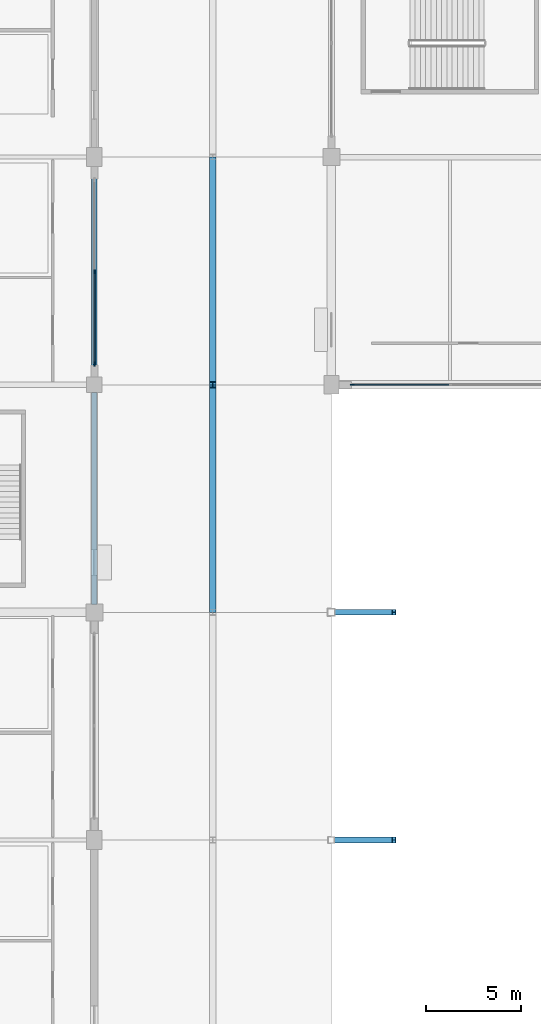
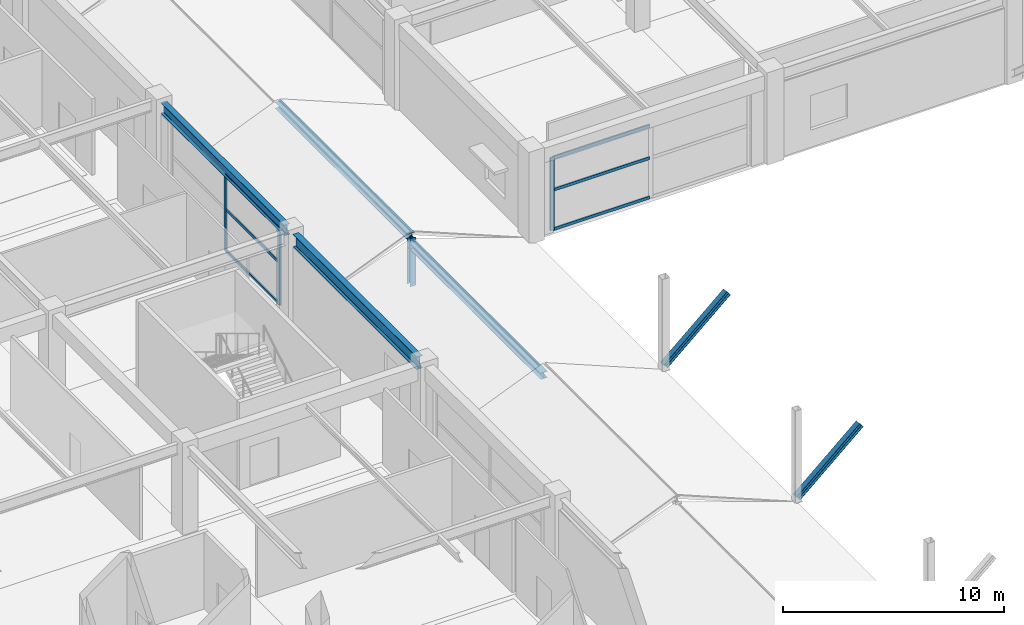
# One storey, part 29 of 116: 14 members, 2 beams, 2 elements without a shape of their own.
"""IFC4 building model written with IfcOpenShell, lengths in metres."""

from ifc_helpers import new_model, si_unit, direction, frame, origin, origin_2d, place, context, subcontext, project, spatial, rectangle, i_section, extrude, material, layer, layer_set, material_profile, profile_set, type_object, element, aggregate, save


model = new_model("IFC4")

# Units and contexts
model_context = context("Model", 3, precision=1e-05, world=origin(), true_north=direction((0.0, 1.0)))
body_context = subcontext(model_context, "Body", "Model", "MODEL_VIEW")
ifc_project = project(units=[si_unit("LENGTHUNIT", "METRE"), si_unit("AREAUNIT", "SQUARE_METRE"), si_unit("VOLUMEUNIT", "CUBIC_METRE"), si_unit("PLANEANGLEUNIT", "RADIAN"), si_unit("MASSUNIT", "GRAM", prefix="KILO")], contexts=[model_context])

# Site, building, storey
site_placement = place(None, origin())
site = spatial("IfcSite", under=ifc_project, at=site_placement, CompositionType="ELEMENT")
building_placement = place(site_placement, origin())
building = spatial("IfcBuilding", under=site, at=building_placement, Name="Kazenohara Klinker Stadium", CompositionType="ELEMENT")
storey_placement = place(building_placement, frame((0.0, 0.0, 10.199951171875)))
storey = spatial("IfcBuildingStorey", under=building, at=storey_placement, Name="L02", CompositionType="ELEMENT", Elevation=10.199951171875)

# Beams
ifc_material_1 = material(Name="Steel S355", Category="steel")
ifc_material_profile_1 = material_profile(ifc_material_1, i_section(OverallWidth=0.300048828125, OverallDepth=0.699951171875, WebThickness=0.012939453125, FlangeThickness=0.02392578125, FilletRadius=0.02197265625, at=origin_2d()), Name="H-700x300x13x24")
ifc_profile_set_1 = profile_set([ifc_material_profile_1], Name="Steel S355")
beam_type_1 = type_object("IfcBeamType", Name="BM-ST03", PredefinedType="BEAM", material=ifc_profile_set_1)
beam_1_placement = place(storey_placement, frame((36.5, 120.419921875, 4.469970703125), z_axis=(0.0, 1.0, 0.0), x_axis=(-1.0, 0.0, 0.0)))
element("IfcBeam", 1, at=beam_1_placement, inside=storey, type_object=beam_type_1, Name="Primary girder SB03 L02 4/L-M", PredefinedType="BEAM", context=body_context, shape_type="SweptSolid", body=[
    extrude(i_section(OverallWidth=0.300048828125, OverallDepth=0.699951171875, WebThickness=0.012939453125, FlangeThickness=0.02392578125, FilletRadius=0.02197265625, at=origin_2d()), origin(), (0.0, 0.0, 1.0), 11.18017578125),
])
ifc_material_profile_2 = material_profile(ifc_material_1, i_section(OverallWidth=0.300048828125, OverallDepth=0.587890625, WebThickness=0.011962890625, FlangeThickness=0.02001953125, FilletRadius=0.02197265625, at=origin_2d()), Name="H-588x300x12x20")
ifc_profile_set_2 = profile_set([ifc_material_profile_2], Name="Steel S355")
beam_type_2 = type_object("IfcBeamType", Name="BM-ST05", PredefinedType="BEAM", material=ifc_profile_set_2)
beam_2_placement = place(storey_placement, frame((36.5, 132.39990234375, 4.526123046875), z_axis=(0.0, 1.0, 0.0), x_axis=(-1.0, 0.0, 0.0)))
element("IfcBeam", 2, at=beam_2_placement, inside=storey, type_object=beam_type_2, Name="Primary girder SB05 L02 4/M-N", PredefinedType="BEAM", context=body_context, shape_type="SweptSolid", body=[
    extrude(i_section(OverallWidth=0.300048828125, OverallDepth=0.587890625, WebThickness=0.011962890625, FlangeThickness=0.02001953125, FilletRadius=0.02197265625, at=origin_2d()), origin(), (0.0, 0.0, 1.0), 11.18017578125),
])

# Curtain wall, members
ifc_material_2 = material(Name="Anodised aluminium and triple glazing", Category="aluminium")
ifc_layer_1 = layer(ifc_material_2, 0.18994140625)
ifc_layer_set_1 = layer_set([ifc_layer_1], Name="Anodised aluminium and triple glazing")
curtain_wall_type_1 = type_object("IfcCurtainWallType", Name="CW-SYS-05", PredefinedType="USERDEFINED", material=ifc_layer_set_1)
curtain_wall_1_placement = place(storey_placement, origin())
curtain_wall_1 = element("IfcCurtainWall", 3, at=curtain_wall_1_placement, inside=storey, type_object=curtain_wall_type_1, Name="Unitised facade curtain wall CW05 L02 Y3-11", ObjectType="UNITISED CURTAIN WALL", PredefinedType="USERDEFINED")
ifc_material_3 = material(Name="Anodised aluminium 6063-T6", Category="aluminium")
ifc_material_profile_3 = material_profile(ifc_material_3, rectangle(XDim=0.074951171875, YDim=0.219970703125, at=origin_2d()), Name="ALU-MUL-75x220")
ifc_profile_set_3 = profile_set([ifc_material_profile_3], Name="Anodised aluminium 6063-T6")
member_type_1 = type_object("IfcMemberType", Name="CW-MUL-220", PredefinedType="MULLION", material=ifc_profile_set_3)
member_1_placement = place(storey_placement, frame((36.5, 133.091552734375, 0.0), z_axis=(0.0, 0.0, 1.0), x_axis=(-1.0, 0.0, 0.0)))
member_1 = element("IfcMember", 4, at=member_1_placement, type_object=member_type_1, Name="CW05 mullion 1", PredefinedType="MULLION", context=body_context, shape_type="SweptSolid", body=[
    extrude(rectangle(XDim=0.074951171875, YDim=0.219970703125, at=origin_2d()), origin(), (0.0, 0.0, 1.0), 4.23193359375),
])
member_2_placement = place(storey_placement, frame((36.5, 137.949951171875, 0.0), z_axis=(0.0, 0.0, 1.0), x_axis=(-1.0, 0.0, 0.0)))
member_2 = element("IfcMember", 5, at=member_2_placement, type_object=member_type_1, Name="CW05 mullion 2", PredefinedType="MULLION", context=body_context, shape_type="SweptSolid", body=[
    extrude(rectangle(XDim=0.074951171875, YDim=0.219970703125, at=origin_2d()), origin(), (0.0, 0.0, 1.0), 4.23193359375),
])

# Curtain wall, member
ifc_layer_2 = layer(ifc_material_2, 0.169921875)
ifc_layer_set_2 = layer_set([ifc_layer_2], Name="Anodised aluminium and triple glazing")
curtain_wall_type_2 = type_object("IfcCurtainWallType", Name="CW-SYS-04", PredefinedType="USERDEFINED", material=ifc_layer_set_2)
curtain_wall_2_placement = place(storey_placement, origin())
curtain_wall_2 = element("IfcCurtainWall", 6, at=curtain_wall_2_placement, inside=storey, type_object=curtain_wall_type_2, Name="Unitised facade curtain wall CW04 L02 X4-11", ObjectType="UNITISED CURTAIN WALL", PredefinedType="USERDEFINED")
member_3_placement = place(storey_placement, frame((50.091552734375, 132.0, 0.0), z_axis=(0.0, 0.0, 1.0), x_axis=(0.0, 1.0, 0.0)))
member_3 = element("IfcMember", 7, at=member_3_placement, type_object=member_type_1, Name="CW04 mullion 1", PredefinedType="MULLION", context=body_context, shape_type="SweptSolid", body=[
    extrude(rectangle(XDim=0.074951171875, YDim=0.219970703125, at=origin_2d()), origin(), (0.0, 0.0, 1.0), 4.02001953125),
])

# Member
ifc_material_profile_4 = material_profile(ifc_material_3, rectangle(XDim=0.074951171875, YDim=0.159912109375, at=origin_2d()), Name="ALU-TRN-75x160")
ifc_profile_set_4 = profile_set([ifc_material_profile_4], Name="Anodised aluminium 6063-T6")
member_type_2 = type_object("IfcMemberType", Name="CW-TRN-160", PredefinedType="USERDEFINED", material=ifc_profile_set_4)
member_4_placement = place(storey_placement, frame((36.5, 133.12890625, 0.03759765625), z_axis=(0.0, 1.0, 0.0), x_axis=(-1.0, 0.0, 0.0)))
member_4 = element("IfcMember", 8, at=member_4_placement, type_object=member_type_2, Name="CW05 transom 1.1", ObjectType="TRANSOM", PredefinedType="USERDEFINED", context=body_context, shape_type="SweptSolid", body=[
    extrude(rectangle(XDim=0.074951171875, YDim=0.159912109375, at=origin_2d()), origin(), (0.0, 0.0, 1.0), 4.78369140625),
])

member_5_placement = place(storey_placement, frame((36.5, 133.12890625, 2.32763671875), z_axis=(0.0, 1.0, 0.0), x_axis=(-1.0, 0.0, 0.0)))
member_5 = element("IfcMember", 9, at=member_5_placement, type_object=member_type_2, Name="CW05 transom 1.2", ObjectType="TRANSOM", PredefinedType="USERDEFINED", context=body_context, shape_type="SweptSolid", body=[
    extrude(rectangle(XDim=0.074951171875, YDim=0.159912109375, at=origin_2d()), origin(), (0.0, 0.0, 1.0), 4.78369140625),
])

member_6_placement = place(storey_placement, frame((36.5, 133.12890625, 4.194580078125), z_axis=(0.0, 1.0, 0.0), x_axis=(-1.0, 0.0, 0.0)))
member_6 = element("IfcMember", 10, at=member_6_placement, type_object=member_type_2, Name="CW05 transom 1.3", ObjectType="TRANSOM", PredefinedType="USERDEFINED", context=body_context, shape_type="SweptSolid", body=[
    extrude(rectangle(XDim=0.074951171875, YDim=0.159912109375, at=origin_2d()), origin(), (0.0, 0.0, 1.0), 4.78369140625),
])

aggregate(curtain_wall_1, [member_1, member_2, member_4, member_5, member_6])

member_7_placement = place(storey_placement, frame((50.12890625, 132.0, 0.03759765625), z_axis=(1.0, 0.0, 0.0), x_axis=(0.0, 1.0, 0.0)))
member_7 = element("IfcMember", 11, at=member_7_placement, type_object=member_type_2, Name="CW04 transom 1.1", ObjectType="TRANSOM", PredefinedType="USERDEFINED", context=body_context, shape_type="SweptSolid", body=[
    extrude(rectangle(XDim=0.074951171875, YDim=0.159912109375, at=origin_2d()), origin(), (0.0, 0.0, 1.0), 5.05859375),
])

member_8_placement = place(storey_placement, frame((50.12890625, 132.0, 2.2109375), z_axis=(1.0, 0.0, 0.0), x_axis=(0.0, 1.0, 0.0)))
member_8 = element("IfcMember", 12, at=member_8_placement, type_object=member_type_2, Name="CW04 transom 1.2", ObjectType="TRANSOM", PredefinedType="USERDEFINED", context=body_context, shape_type="SweptSolid", body=[
    extrude(rectangle(XDim=0.074951171875, YDim=0.159912109375, at=origin_2d()), origin(), (0.0, 0.0, 1.0), 5.05859375),
])

member_9_placement = place(storey_placement, frame((50.12890625, 132.0, 3.982666015625), z_axis=(1.0, 0.0, 0.0), x_axis=(0.0, 1.0, 0.0)))
member_9 = element("IfcMember", 13, at=member_9_placement, type_object=member_type_2, Name="CW04 transom 1.3", ObjectType="TRANSOM", PredefinedType="USERDEFINED", context=body_context, shape_type="SweptSolid", body=[
    extrude(rectangle(XDim=0.074951171875, YDim=0.159912109375, at=origin_2d()), origin(), (0.0, 0.0, 1.0), 5.05859375),
])

aggregate(curtain_wall_2, [member_3, member_7, member_8, member_9])

# Members
ifc_material_profile_5 = material_profile(ifc_material_1, i_section(OverallWidth=0.300048828125, OverallDepth=0.300048828125, WebThickness=0.010009765625, FlangeThickness=0.014892578125, FilletRadius=0.012939453125, at=origin_2d()), Name="H-300x300x10x15")
ifc_profile_set_5 = profile_set([ifc_material_profile_5], Name="Steel S355")
member_type_3 = type_object("IfcMemberType", Name="MEM-BRC01", PredefinedType="BRACE", material=ifc_profile_set_5)
for number, where, z_axis, x_axis, name in (
    (14, (49.0, 108.0, 0.199951171875), (0.750987889423, 0.0, 0.660315977347), (0.0, 1.0, 0.0), "Upper bowl raking bracket strut BR01 West K"),
    (15, (49.0, 120.0, 0.199951171875), (0.750987889423, 0.0, 0.660315977347), (0.0, 1.0, 0.0), "Upper bowl raking bracket strut BR01 West L"),
):
    element("IfcMember", number, at=place(storey_placement, frame(where, z_axis=z_axis, x_axis=x_axis)), inside=storey, type_object=member_type_3, Name=name, PredefinedType="BRACE", context=body_context, shape_type="SweptSolid", body=[
        extrude(i_section(OverallWidth=0.300048828125, OverallDepth=0.300048828125, WebThickness=0.010009765625, FlangeThickness=0.014892578125, FilletRadius=0.012939453125, at=origin_2d()), origin(), (0.0, 0.0, 1.0), 4.394287109375),
    ])
ifc_material_profile_6 = material_profile(ifc_material_1, i_section(OverallWidth=0.35009765625, OverallDepth=0.35009765625, WebThickness=0.011962890625, FlangeThickness=0.01904296875, FilletRadius=0.012939453125, at=origin_2d()), Name="H-350x350x12x19")
ifc_profile_set_6 = profile_set([ifc_material_profile_6], Name="Steel S355")
member_type_4 = type_object("IfcMemberType", Name="MEM-CHD02", PredefinedType="CHORD", material=ifc_profile_set_6)
for number, where, z_axis, x_axis, name in (
    (16, (42.75, 120.0, 1.830078125), (0.0, 1.0, 0.0), (-1.0, 0.0, 0.0), "Stepped pavilion gable ridge beam L02 4/L"),
    (17, (42.75, 132.0, 2.22998046875), (0.0, 1.0, 0.0), (-1.0, 0.0, 0.0), "Stepped pavilion gable ridge beam L02 4/M"),
):
    element("IfcMember", number, at=place(storey_placement, frame(where, z_axis=z_axis, x_axis=x_axis)), inside=storey, type_object=member_type_4, Name=name, PredefinedType="CHORD", context=body_context, shape_type="SweptSolid", body=[
        extrude(i_section(OverallWidth=0.35009765625, OverallDepth=0.35009765625, WebThickness=0.011962890625, FlangeThickness=0.01904296875, FilletRadius=0.012939453125, at=origin_2d()), origin(), (0.0, 0.0, 1.0), 12.0),
    ])
ifc_material_profile_7 = material_profile(ifc_material_1, i_section(OverallWidth=0.300048828125, OverallDepth=0.300048828125, WebThickness=0.010009765625, FlangeThickness=0.014892578125, FilletRadius=0.012939453125, at=origin_2d()), Name="H-300x300x10x15")
ifc_profile_set_7 = profile_set([ifc_material_profile_7], Name="Steel S355")
member_type_5 = type_object("IfcMemberType", Name="MEM-STR01", PredefinedType="STRUT", material=ifc_profile_set_7)
member_10_placement = place(storey_placement, frame((42.75, 132.0, -0.429931640625), z_axis=(0.0, 0.0, 1.0), x_axis=(1.0, 0.0, 0.0)))
element("IfcMember", 18, at=member_10_placement, inside=storey, type_object=member_type_5, Name="Stepped pavilion gable king-post L02 4/M S", PredefinedType="STRUT", context=body_context, shape_type="SweptSolid", body=[
    extrude(i_section(OverallWidth=0.300048828125, OverallDepth=0.300048828125, WebThickness=0.010009765625, FlangeThickness=0.014892578125, FilletRadius=0.012939453125, at=origin_2d()), origin(), (0.0, 0.0, 1.0), 2.659912109375),
])

save(model, "model.ifc")
